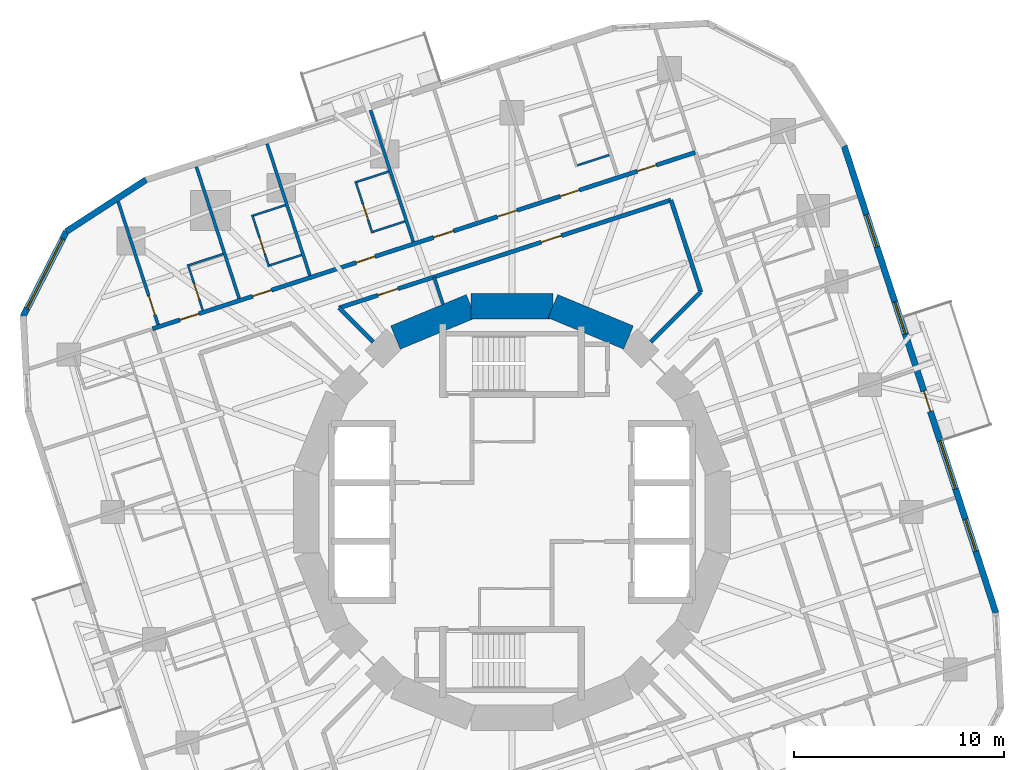
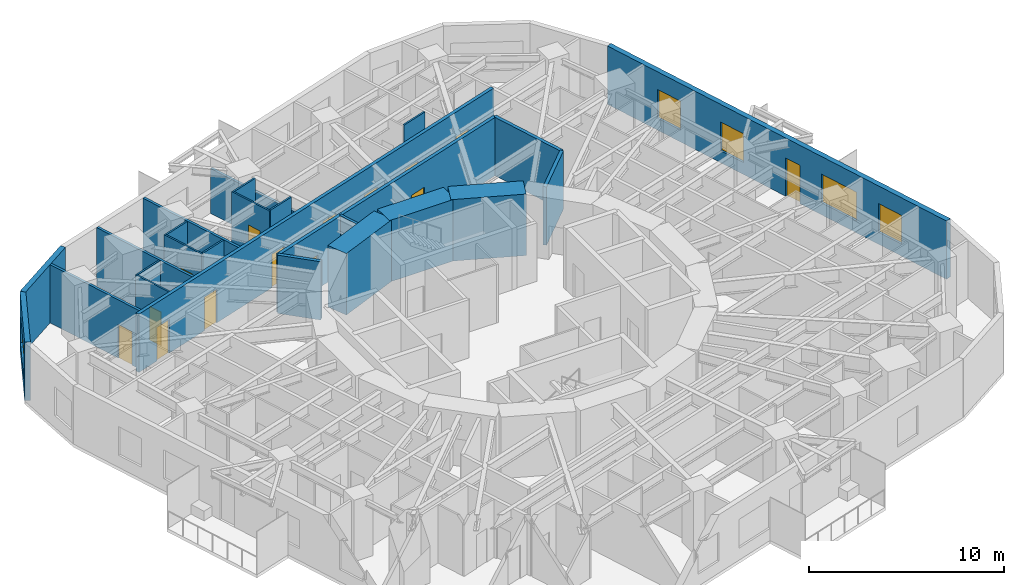
# One storey, part 9 of 12: 25 walls, 14 doors, 5 windows, 19 openings.
"""IFC4 building model written with IfcOpenShell, lengths in metres."""

from ifc_helpers import new_model, si_unit, direction, frame, frame_2d, origin, place, context, subcontext, project, spatial, rectangle, extrude, material, layer, layer_set, type_object, element, fill, save


model = new_model("IFC4")

# Units and contexts
model_context = context("Model", 3, precision=1e-05, world=origin(), true_north=direction((0.0, 1.0)))
body_context = subcontext(model_context, "Body", "Model", "MODEL_VIEW")
ifc_project = project(units=[si_unit("LENGTHUNIT", "METRE"), si_unit("AREAUNIT", "SQUARE_METRE"), si_unit("VOLUMEUNIT", "CUBIC_METRE"), si_unit("PLANEANGLEUNIT", "RADIAN"), si_unit("MASSUNIT", "GRAM", prefix="KILO")], contexts=[model_context])

# Site, building, storey
site_placement = place(None, origin())
site = spatial("IfcSite", under=ifc_project, at=site_placement, CompositionType="ELEMENT")
building_placement = place(site_placement, origin())
building = spatial("IfcBuilding", under=site, at=building_placement, Name="Nakasero Lantern House", CompositionType="ELEMENT")
storey_placement = place(building_placement, frame((0.0, 0.0, 168.75)))
storey = spatial("IfcBuildingStorey", under=building, at=storey_placement, Name="L41", CompositionType="ELEMENT", Elevation=168.75)

# Walls
ifc_material_1 = material(Name="Concrete C50/60", Category="concrete")
ifc_layer_1 = layer(ifc_material_1, 1.199951171875)
ifc_layer_set_1 = layer_set([ifc_layer_1], Name="Core wall 1200")
wall_type_1 = type_object("IfcWallType", Name="Core wall 1200", PredefinedType="SHEAR", material=ifc_layer_set_1)
for number, where, z_axis, x_axis, name in (
    (1, (5.5556640625, 8.314697265625, 0.0), (0.0, 0.0, 1.0), (-0.923876507187, 0.382690736062, 0.0), "Core wall L41 facet 3"),
    (2, (1.950927734375, 9.807861328125, 0.0), (0.0, 0.0, 1.0), (-1.0, 0.0, 0.0), "Core wall L41 facet 4"),
    (3, (-1.950927734375, 9.807861328125, 0.0), (0.0, 0.0, 1.0), (-0.923876507187, -0.382690736062, 0.0), "Core wall L41 facet 5"),
):
    element("IfcWall", number, at=place(storey_placement, frame(where, z_axis=z_axis, x_axis=x_axis)), inside=storey, type_object=wall_type_1, Name=name, PredefinedType="SHEAR", context=body_context, shape_type="SweptSolid", body=[
        extrude(rectangle(XDim=3.90185546875, YDim=1.199951171875, at=frame_2d((1.950927734375, 0.0))), origin(), (0.0, 0.0, 1.0), 3.85009765625),
    ])

# Wall, openings, doors
ifc_material_2 = material(Name="Blockwork", Category="masonry")
ifc_layer_2 = layer(ifc_material_2, 0.199951171875)
ifc_layer_set_2 = layer_set([ifc_layer_2], Name="Corridor wall 200")
wall_type_2 = type_object("IfcWallType", Name="Corridor wall 200", PredefinedType="PARTITIONING", material=ifc_layer_set_2)
wall_1_placement = place(storey_placement, frame((8.731689453125, 17.136962890625, 0.0), z_axis=(0.0, 0.0, 1.0), x_axis=(-0.951056097323, -0.309018283835, 0.0)))
wall_1 = element("IfcWall", 4, at=wall_1_placement, inside=storey, type_object=wall_type_2, Name="Corridor wall L41 CW1", PredefinedType="PARTITIONING", context=body_context, shape_type="SweptSolid", body=[
    extrude(rectangle(XDim=27.199951171875, YDim=0.199951171875, at=frame_2d((13.60009765625, 0.0))), origin(), (0.0, 0.0, 1.0), 3.64990234375),
])
opening_1_placement = place(wall_1_placement, frame((1.949951171875, 0.0, 0.0)))
opening_1 = element("IfcOpeningElement", 5, at=opening_1_placement, cuts=wall_1, Name="Opening D01", PredefinedType="OPENING", context=body_context, shape_type="SweptSolid", body=[
    extrude(rectangle(XDim=0.949951171875, YDim=2.10009765625, at=frame_2d((0.47509765625, 1.050048828125))), frame((0.0, 0.119873046875, 0.0), z_axis=(0.0, -1.0, 0.0), x_axis=(1.0, 0.0, 0.0)), (0.0, 0.0, 1.0), 0.239990234375),
])
opening_2_placement = place(wall_1_placement, frame((5.8095703125, 0.0, 0.0)))
opening_2 = element("IfcOpeningElement", 6, at=opening_2_placement, cuts=wall_1, Name="Opening D01", PredefinedType="OPENING", context=body_context, shape_type="SweptSolid", body=[
    extrude(rectangle(XDim=0.949951171875, YDim=2.10009765625, at=frame_2d((0.47509765625, 1.050048828125))), frame((0.0, 0.119873046875, 0.0), z_axis=(0.0, -1.0, 0.0), x_axis=(1.0, 0.0, 0.0)), (0.0, 0.0, 1.0), 0.239990234375),
])
opening_3_placement = place(wall_1_placement, frame((16.047119140625, 0.0, 0.0)))
opening_3 = element("IfcOpeningElement", 7, at=opening_3_placement, cuts=wall_1, Name="Opening D01", PredefinedType="OPENING", context=body_context, shape_type="SweptSolid", body=[
    extrude(rectangle(XDim=0.949951171875, YDim=2.10009765625, at=frame_2d((0.47509765625, 1.050048828125))), frame((0.0, 0.119873046875, 0.0), z_axis=(0.0, -1.0, 0.0), x_axis=(1.0, 0.0, 0.0)), (0.0, 0.0, 1.0), 0.239990234375),
])
opening_4_placement = place(wall_1_placement, frame((21.22802734375, 0.0, 0.0)))
opening_4 = element("IfcOpeningElement", 8, at=opening_4_placement, cuts=wall_1, Name="Opening D01", PredefinedType="OPENING", context=body_context, shape_type="SweptSolid", body=[
    extrude(rectangle(XDim=0.949951171875, YDim=2.10009765625, at=frame_2d((0.47509765625, 1.050048828125))), frame((0.0, 0.119873046875, 0.0), z_axis=(0.0, -1.0, 0.0), x_axis=(1.0, 0.0, 0.0)), (0.0, 0.0, 1.0), 0.239990234375),
])
opening_5_placement = place(wall_1_placement, frame((24.872314453125, 0.0, 0.0)))
opening_5 = element("IfcOpeningElement", 9, at=opening_5_placement, cuts=wall_1, Name="Opening D01", PredefinedType="OPENING", context=body_context, shape_type="SweptSolid", body=[
    extrude(rectangle(XDim=0.949951171875, YDim=2.10009765625, at=frame_2d((0.47509765625, 1.050048828125))), frame((0.0, 0.119873046875, 0.0), z_axis=(0.0, -1.0, 0.0), x_axis=(1.0, 0.0, 0.0)), (0.0, 0.0, 1.0), 0.239990234375),
])
opening_6_placement = place(wall_1_placement, frame((8.9189453125, 0.0, 0.0)))
opening_6 = element("IfcOpeningElement", 10, at=opening_6_placement, cuts=wall_1, Name="Opening D03", PredefinedType="OPENING", context=body_context, shape_type="SweptSolid", body=[
    extrude(rectangle(XDim=1.0, YDim=2.10009765625, at=frame_2d((0.5, 1.050048828125))), frame((0.0, 0.119873046875, 0.0), z_axis=(0.0, -1.0, 0.0), x_axis=(1.0, 0.0, 0.0)), (0.0, 0.0, 1.0), 0.239990234375),
])
opening_7_placement = place(wall_1_placement, frame((12.10791015625, 0.0, 0.0)))
opening_7 = element("IfcOpeningElement", 11, at=opening_7_placement, cuts=wall_1, Name="Opening D03", PredefinedType="OPENING", context=body_context, shape_type="SweptSolid", body=[
    extrude(rectangle(XDim=1.0, YDim=2.10009765625, at=frame_2d((0.5, 1.050048828125))), frame((0.0, 0.119873046875, 0.0), z_axis=(0.0, -1.0, 0.0), x_axis=(1.0, 0.0, 0.0)), (0.0, 0.0, 1.0), 0.239990234375),
])
ifc_material_3 = material(Name="Timber C24", Category="wood")
door_type_1 = type_object("IfcDoorType", Name="Bedroom door FD30S 950", OperationType="SINGLE_SWING_LEFT", PredefinedType="DOOR", material=ifc_material_3)
door_1_placement = place(opening_1_placement, origin())
door_1 = element("IfcDoor", 12, at=door_1_placement, inside=storey, type_object=door_type_1, Name="Door L41 D1-00", OperationType="SINGLE_SWING_LEFT", OverallHeight=2.10009765625, OverallWidth=0.949951171875, PredefinedType="DOOR", context=body_context, shape_type="SweptSolid", body=[
    extrude(rectangle(XDim=0.949951171875, YDim=2.10009765625, at=frame_2d((0.47509765625, 1.050048828125))), frame((0.0, 0.02490234375, 0.0), z_axis=(0.0, -1.0, 0.0), x_axis=(1.0, 0.0, 0.0)), (0.0, 0.0, 1.0), 0.050048828125),
])
fill(opening_1, door_1)
door_2_placement = place(opening_2_placement, origin())
door_2 = element("IfcDoor", 13, at=door_2_placement, inside=storey, type_object=door_type_1, Name="Door L41 D1-01", OperationType="SINGLE_SWING_LEFT", OverallHeight=2.10009765625, OverallWidth=0.949951171875, PredefinedType="DOOR", context=body_context, shape_type="SweptSolid", body=[
    extrude(rectangle(XDim=0.949951171875, YDim=2.10009765625, at=frame_2d((0.47509765625, 1.050048828125))), frame((0.0, 0.02490234375, 0.0), z_axis=(0.0, -1.0, 0.0), x_axis=(1.0, 0.0, 0.0)), (0.0, 0.0, 1.0), 0.050048828125),
])
fill(opening_2, door_2)
door_3_placement = place(opening_3_placement, origin())
door_3 = element("IfcDoor", 14, at=door_3_placement, inside=storey, type_object=door_type_1, Name="Door L41 D1-04", OperationType="SINGLE_SWING_RIGHT", OverallHeight=2.10009765625, OverallWidth=0.949951171875, PredefinedType="DOOR", context=body_context, shape_type="SweptSolid", body=[
    extrude(rectangle(XDim=0.949951171875, YDim=2.10009765625, at=frame_2d((0.47509765625, 1.050048828125))), frame((0.0, 0.02490234375, 0.0), z_axis=(0.0, -1.0, 0.0), x_axis=(1.0, 0.0, 0.0)), (0.0, 0.0, 1.0), 0.050048828125),
])
fill(opening_3, door_3)
door_4_placement = place(opening_4_placement, origin())
door_4 = element("IfcDoor", 15, at=door_4_placement, inside=storey, type_object=door_type_1, Name="Door L41 D1-05", OperationType="SINGLE_SWING_RIGHT", OverallHeight=2.10009765625, OverallWidth=0.949951171875, PredefinedType="DOOR", context=body_context, shape_type="SweptSolid", body=[
    extrude(rectangle(XDim=0.949951171875, YDim=2.10009765625, at=frame_2d((0.47509765625, 1.050048828125))), frame((0.0, 0.02490234375, 0.0), z_axis=(0.0, -1.0, 0.0), x_axis=(1.0, 0.0, 0.0)), (0.0, 0.0, 1.0), 0.050048828125),
])
fill(opening_4, door_4)
door_5_placement = place(opening_5_placement, origin())
door_5 = element("IfcDoor", 16, at=door_5_placement, inside=storey, type_object=door_type_1, Name="Door L41 D1-06", OperationType="SINGLE_SWING_RIGHT", OverallHeight=2.10009765625, OverallWidth=0.949951171875, PredefinedType="DOOR", context=body_context, shape_type="SweptSolid", body=[
    extrude(rectangle(XDim=0.949951171875, YDim=2.10009765625, at=frame_2d((0.47509765625, 1.050048828125))), frame((0.0, 0.02490234375, 0.0), z_axis=(0.0, -1.0, 0.0), x_axis=(1.0, 0.0, 0.0)), (0.0, 0.0, 1.0), 0.050048828125),
])
fill(opening_5, door_5)
ifc_material_4 = material(Name="Timber C24", Category="wood")
door_type_2 = type_object("IfcDoorType", Name="Lounge door FD30S 1000", OperationType="SINGLE_SWING_LEFT", PredefinedType="DOOR", material=ifc_material_4)
door_6_placement = place(opening_6_placement, origin())
door_6 = element("IfcDoor", 17, at=door_6_placement, inside=storey, type_object=door_type_2, Name="Door L41 DK1", OperationType="SINGLE_SWING_LEFT", OverallHeight=2.10009765625, OverallWidth=1.0, PredefinedType="DOOR", context=body_context, shape_type="SweptSolid", body=[
    extrude(rectangle(XDim=1.0, YDim=2.10009765625, at=frame_2d((0.5, 1.050048828125))), frame((0.0, 0.02490234375, 0.0), z_axis=(0.0, -1.0, 0.0), x_axis=(1.0, 0.0, 0.0)), (0.0, 0.0, 1.0), 0.050048828125),
])
fill(opening_6, door_6)
door_7_placement = place(opening_7_placement, origin())
door_7 = element("IfcDoor", 18, at=door_7_placement, inside=storey, type_object=door_type_2, Name="Door L41 DK1-1", OperationType="SINGLE_SWING_LEFT", OverallHeight=2.10009765625, OverallWidth=1.0, PredefinedType="DOOR", context=body_context, shape_type="SweptSolid", body=[
    extrude(rectangle(XDim=1.0, YDim=2.10009765625, at=frame_2d((0.5, 1.050048828125))), frame((0.0, 0.02490234375, 0.0), z_axis=(0.0, -1.0, 0.0), x_axis=(1.0, 0.0, 0.0)), (0.0, 0.0, 1.0), 0.050048828125),
])
fill(opening_7, door_7)

# Wall
wall_2_placement = place(storey_placement, frame((9.00048828125, 10.4853515625, 0.0), z_axis=(0.0, 0.0, 1.0), x_axis=(-0.309020197406, 0.951055475561, 0.0)))
element("IfcWall", 19, at=wall_2_placement, inside=storey, type_object=wall_type_2, Name="Corridor wall L41 IW0-1", PredefinedType="PARTITIONING", context=body_context, shape_type="SweptSolid", body=[
    extrude(rectangle(XDim=4.609130859375, YDim=0.199951171875, at=frame_2d((2.3046875, 0.0))), origin(), (0.0, 0.0, 1.0), 3.64990234375),
])

# Wall, openings, doors
wall_3_placement = place(storey_placement, frame((7.576171875, 14.868896484375, 0.0), z_axis=(0.0, 0.0, 1.0), x_axis=(-0.951057148125, -0.309015049795, 0.0)))
wall_3 = element("IfcWall", 20, at=wall_3_placement, inside=storey, type_object=wall_type_2, Name="Corridor wall L41 IW1-0", PredefinedType="PARTITIONING", context=body_context, shape_type="SweptSolid", body=[
    extrude(rectangle(XDim=16.634033203125, YDim=0.199951171875, at=frame_2d((8.31689453125, 0.0))), origin(), (0.0, 0.0, 1.0), 3.64990234375),
])
opening_8_placement = place(wall_3_placement, frame((5.49755859375, 0.0, 0.0)))
opening_8 = element("IfcOpeningElement", 21, at=opening_8_placement, cuts=wall_3, Name="Opening D07", PredefinedType="OPENING", context=body_context, shape_type="SweptSolid", body=[
    extrude(rectangle(XDim=1.0, YDim=2.10009765625, at=frame_2d((0.5, 1.050048828125))), frame((0.0, 0.119873046875, 0.0), z_axis=(0.0, -1.0, 0.0), x_axis=(1.0, 0.0, 0.0)), (0.0, 0.0, 1.0), 0.239990234375),
])
opening_9_placement = place(wall_3_placement, frame((13.689453125, 0.0, 0.0)))
opening_9 = element("IfcOpeningElement", 22, at=opening_9_placement, cuts=wall_3, Name="Opening D07", PredefinedType="OPENING", context=body_context, shape_type="SweptSolid", body=[
    extrude(rectangle(XDim=1.0, YDim=2.10009765625, at=frame_2d((0.5, 1.050048828125))), frame((0.0, 0.119873046875, 0.0), z_axis=(0.0, -1.0, 0.0), x_axis=(1.0, 0.0, 0.0)), (0.0, 0.0, 1.0), 0.239990234375),
])
ifc_material_5 = material(Name="Timber C24", Category="wood")
door_type_3 = type_object("IfcDoorType", Name="Room door FD30S 1000", OperationType="SINGLE_SWING_LEFT", PredefinedType="DOOR", material=ifc_material_5)
door_8_placement = place(opening_8_placement, origin())
door_8 = element("IfcDoor", 23, at=door_8_placement, inside=storey, type_object=door_type_3, Name="Door L41 DI5", OperationType="SINGLE_SWING_LEFT", OverallHeight=2.10009765625, OverallWidth=1.0, PredefinedType="DOOR", context=body_context, shape_type="SweptSolid", body=[
    extrude(rectangle(XDim=1.0, YDim=2.10009765625, at=frame_2d((0.5, 1.050048828125))), frame((0.0, 0.02490234375, 0.0), z_axis=(0.0, -1.0, 0.0), x_axis=(1.0, 0.0, 0.0)), (0.0, 0.0, 1.0), 0.050048828125),
])
fill(opening_8, door_8)
door_9_placement = place(opening_9_placement, origin())
door_9 = element("IfcDoor", 24, at=door_9_placement, inside=storey, type_object=door_type_3, Name="Door L41 DI6", OperationType="SINGLE_SWING_RIGHT", OverallHeight=2.10009765625, OverallWidth=1.0, PredefinedType="DOOR", context=body_context, shape_type="SweptSolid", body=[
    extrude(rectangle(XDim=1.0, YDim=2.10009765625, at=frame_2d((0.5, 1.050048828125))), frame((0.0, 0.02490234375, 0.0), z_axis=(0.0, -1.0, 0.0), x_axis=(1.0, 0.0, 0.0)), (0.0, 0.0, 1.0), 0.050048828125),
])
fill(opening_9, door_9)

# Walls
wall_4_placement = place(storey_placement, frame((6.616943359375, 8.101806640625, 0.0), z_axis=(0.0, 0.0, 1.0), x_axis=(0.707106781187, 0.707106781187, 0.0)))
element("IfcWall", 25, at=wall_4_placement, inside=storey, type_object=wall_type_2, Name="Corridor wall L41 PS02a", PredefinedType="PARTITIONING", context=body_context, shape_type="SweptSolid", body=[
    extrude(rectangle(XDim=3.370849609375, YDim=0.199951171875, at=frame_2d((1.685546875, 0.0))), origin(), (0.0, 0.0, 1.0), 3.64990234375),
])
wall_5_placement = place(storey_placement, frame((-6.616943359375, 8.101806640625, 0.0), z_axis=(0.0, 0.0, 1.0), x_axis=(-0.707053720985, 0.707159837407, 0.0)))
element("IfcWall", 26, at=wall_5_placement, inside=storey, type_object=wall_type_2, Name="Corridor wall L41 PS06b", PredefinedType="PARTITIONING", context=body_context, shape_type="SweptSolid", body=[
    extrude(rectangle(XDim=2.30078125, YDim=0.199951171875, at=frame_2d((1.150390625, 0.0))), origin(), (0.0, 0.0, 1.0), 3.64990234375),
])
ifc_material_6 = material(Name="Blockwork", Category="masonry")
ifc_layer_3 = layer(ifc_material_6, 0.10009765625)
ifc_layer_set_3 = layer_set([ifc_layer_3], Name="En-suite wall 100")
wall_type_3 = type_object("IfcWallType", Name="En-suite wall 100", PredefinedType="PARTITIONING", material=ifc_layer_set_3)
wall_6_placement = place(storey_placement, frame((4.634521484375, 17.014892578125, 0.0), z_axis=(0.0, 0.0, 1.0), x_axis=(-0.951066581729, -0.308986014439, 0.0)))
element("IfcWall", 27, at=wall_6_placement, inside=storey, type_object=wall_type_3, Name="En-suite wall L41 EI1-01", PredefinedType="PARTITIONING", context=body_context, shape_type="SweptSolid", body=[
    extrude(rectangle(XDim=1.60009765625, YDim=0.10009765625, at=frame_2d((0.800048828125, 0.0))), origin(), (0.0, 0.0, 1.0), 3.64990234375),
])

# Wall, opening, door
wall_7_placement = place(storey_placement, frame((-6.65576171875, 13.2939453125, 0.0), z_axis=(0.0, 0.0, 1.0), x_axis=(-0.309035112607, 0.951050629134, 0.0)))
wall_7 = element("IfcWall", 28, at=wall_7_placement, inside=storey, type_object=wall_type_3, Name="En-suite wall L41 ES1-04", PredefinedType="PARTITIONING", context=body_context, shape_type="SweptSolid", body=[
    extrude(rectangle(XDim=2.599853515625, YDim=0.10009765625, at=frame_2d((1.2998046875, 0.0))), origin(), (0.0, 0.0, 1.0), 3.64990234375),
])
opening_10_placement = place(wall_7_placement, frame((0.64990234375, 0.0, 0.0)))
opening_10 = element("IfcOpeningElement", 29, at=opening_10_placement, cuts=wall_7, Name="Opening D02", PredefinedType="OPENING", context=body_context, shape_type="SweptSolid", body=[
    extrude(rectangle(XDim=0.800048828125, YDim=2.10009765625, at=frame_2d((0.39990234375, 1.050048828125))), frame((0.0, 0.070068359375, 0.0), z_axis=(0.0, -1.0, 0.0), x_axis=(1.0, 0.0, 0.0)), (0.0, 0.0, 1.0), 0.14013671875),
])
ifc_material_7 = material(Name="Timber C24", Category="wood")
door_type_4 = type_object("IfcDoorType", Name="En-suite door 800", OperationType="SINGLE_SWING_RIGHT", PredefinedType="DOOR", material=ifc_material_7)
door_10_placement = place(opening_10_placement, origin())
door_10 = element("IfcDoor", 30, at=door_10_placement, inside=storey, type_object=door_type_4, Name="Door L41 DE1-04", OperationType="SINGLE_SWING_LEFT", OverallHeight=2.10009765625, OverallWidth=0.800048828125, PredefinedType="DOOR", context=body_context, shape_type="SweptSolid", body=[
    extrude(rectangle(XDim=0.800048828125, YDim=2.10009765625, at=frame_2d((0.39990234375, 1.050048828125))), frame((0.0, 0.02490234375, 0.0), z_axis=(0.0, -1.0, 0.0), x_axis=(1.0, 0.0, 0.0)), (0.0, 0.0, 1.0), 0.050048828125),
])
fill(opening_10, door_10)

# Walls
for number, where, z_axis, x_axis, name in (
    (31, (-5.87451171875, 16.22900390625, 0.0), (0.0, 0.0, 1.0), (-0.951066581729, -0.308986014439, 0.0), "En-suite wall L41 EE1-04"),
    (32, (-5.10205078125, 13.851318359375, 0.0), (0.0, 0.0, 1.0), (-0.951066581729, -0.308986014439, 0.0), "En-suite wall L41 EI1-04"),
):
    element("IfcWall", number, at=place(storey_placement, frame(where, z_axis=z_axis, x_axis=x_axis)), inside=storey, type_object=wall_type_3, Name=name, PredefinedType="PARTITIONING", context=body_context, shape_type="SweptSolid", body=[
        extrude(rectangle(XDim=1.60009765625, YDim=0.10009765625, at=frame_2d((0.800048828125, 0.0))), origin(), (0.0, 0.0, 1.0), 3.64990234375),
    ])

# Wall, opening, door
wall_8_placement = place(storey_placement, frame((-11.583251953125, 11.69287109375, 0.0), z_axis=(0.0, 0.0, 1.0), x_axis=(-0.309035112607, 0.951050629134, 0.0)))
wall_8 = element("IfcWall", 33, at=wall_8_placement, inside=storey, type_object=wall_type_3, Name="En-suite wall L41 ES1-05", PredefinedType="PARTITIONING", context=body_context, shape_type="SweptSolid", body=[
    extrude(rectangle(XDim=2.599853515625, YDim=0.10009765625, at=frame_2d((1.2998046875, 0.0))), origin(), (0.0, 0.0, 1.0), 3.64990234375),
])
opening_11_placement = place(wall_8_placement, frame((0.64990234375, 0.0, 0.0)))
opening_11 = element("IfcOpeningElement", 34, at=opening_11_placement, cuts=wall_8, Name="Opening D02", PredefinedType="OPENING", context=body_context, shape_type="SweptSolid", body=[
    extrude(rectangle(XDim=0.800048828125, YDim=2.10009765625, at=frame_2d((0.39990234375, 1.050048828125))), frame((0.0, 0.070068359375, 0.0), z_axis=(0.0, -1.0, 0.0), x_axis=(1.0, 0.0, 0.0)), (0.0, 0.0, 1.0), 0.14013671875),
])
door_11_placement = place(opening_11_placement, origin())
door_11 = element("IfcDoor", 35, at=door_11_placement, inside=storey, type_object=door_type_4, Name="Door L41 DE1-05", OperationType="SINGLE_SWING_LEFT", OverallHeight=2.10009765625, OverallWidth=0.800048828125, PredefinedType="DOOR", context=body_context, shape_type="SweptSolid", body=[
    extrude(rectangle(XDim=0.800048828125, YDim=2.10009765625, at=frame_2d((0.39990234375, 1.050048828125))), frame((0.0, 0.02490234375, 0.0), z_axis=(0.0, -1.0, 0.0), x_axis=(1.0, 0.0, 0.0)), (0.0, 0.0, 1.0), 0.050048828125),
])
fill(opening_11, door_11)

# Walls
for number, where, z_axis, x_axis, name in (
    (36, (-10.802001953125, 14.6279296875, 0.0), (0.0, 0.0, 1.0), (-0.951066581729, -0.308986014439, 0.0), "En-suite wall L41 EE1-05"),
    (37, (-10.029541015625, 12.250244140625, 0.0), (0.0, 0.0, 1.0), (-0.951066581729, -0.308986014439, 0.0), "En-suite wall L41 EI1-05"),
):
    element("IfcWall", number, at=place(storey_placement, frame(where, z_axis=z_axis, x_axis=x_axis)), inside=storey, type_object=wall_type_3, Name=name, PredefinedType="PARTITIONING", context=body_context, shape_type="SweptSolid", body=[
        extrude(rectangle(XDim=1.60009765625, YDim=0.10009765625, at=frame_2d((0.800048828125, 0.0))), origin(), (0.0, 0.0, 1.0), 3.64990234375),
    ])

# Wall, opening, door
wall_9_placement = place(storey_placement, frame((-14.740234375, 9.61572265625, 0.0), z_axis=(0.0, 0.0, 1.0), x_axis=(-0.309021261611, 0.951055129775, 0.0)))
wall_9 = element("IfcWall", 38, at=wall_9_placement, inside=storey, type_object=wall_type_3, Name="En-suite wall L41 ES1-06", PredefinedType="PARTITIONING", context=body_context, shape_type="SweptSolid", body=[
    extrude(rectangle(XDim=2.2998046875, YDim=0.10009765625, at=frame_2d((1.14990234375, 0.0))), origin(), (0.0, 0.0, 1.0), 3.64990234375),
])
opening_12_placement = place(wall_9_placement, frame((0.550048828125, 0.0, 0.0)))
opening_12 = element("IfcOpeningElement", 39, at=opening_12_placement, cuts=wall_9, Name="Opening D02", PredefinedType="OPENING", context=body_context, shape_type="SweptSolid", body=[
    extrude(rectangle(XDim=0.800048828125, YDim=2.10009765625, at=frame_2d((0.39990234375, 1.050048828125))), frame((0.0, 0.070068359375, 0.0), z_axis=(0.0, -1.0, 0.0), x_axis=(1.0, 0.0, 0.0)), (0.0, 0.0, 1.0), 0.14013671875),
])
door_12_placement = place(opening_12_placement, origin())
door_12 = element("IfcDoor", 40, at=door_12_placement, inside=storey, type_object=door_type_4, Name="Door L41 DE1-06", OperationType="SINGLE_SWING_LEFT", OverallHeight=2.10009765625, OverallWidth=0.800048828125, PredefinedType="DOOR", context=body_context, shape_type="SweptSolid", body=[
    extrude(rectangle(XDim=0.800048828125, YDim=2.10009765625, at=frame_2d((0.39990234375, 1.050048828125))), frame((0.0, 0.02490234375, 0.0), z_axis=(0.0, -1.0, 0.0), x_axis=(1.0, 0.0, 0.0)), (0.0, 0.0, 1.0), 0.050048828125),
])
fill(opening_12, door_12)

# Wall
wall_10_placement = place(storey_placement, frame((-13.771240234375, 12.29638671875, 0.0), z_axis=(0.0, 0.0, 1.0), x_axis=(-0.951040401051, -0.309066587596, 0.0)))
element("IfcWall", 41, at=wall_10_placement, inside=storey, type_object=wall_type_3, Name="En-suite wall L41 EE1-06", PredefinedType="PARTITIONING", context=body_context, shape_type="SweptSolid", body=[
    extrude(rectangle(XDim=1.699951171875, YDim=0.10009765625, at=frame_2d((0.85009765625, 0.0))), origin(), (0.0, 0.0, 1.0), 3.64990234375),
])

# Wall, openings, door, windows
ifc_material_8 = material(Name="Aluminium rainscreen on blockwork", Category="masonry")
ifc_layer_4 = layer(ifc_material_8, 0.300048828125)
ifc_layer_set_4 = layer_set([ifc_layer_4], Name="Facade wall 300")
wall_type_4 = type_object("IfcWallType", Name="Facade wall 300", PredefinedType="SOLIDWALL", material=ifc_layer_set_4)
wall_11_placement = place(storey_placement, frame((23.064697265625, -4.807861328125, 0.0), z_axis=(0.0, 0.0, 1.0), x_axis=(-0.30902591324, 0.951053618334, 0.0)))
wall_11 = element("IfcWall", 42, at=wall_11_placement, inside=storey, type_object=wall_type_4, Name="Facade wall L41 FW0S", PredefinedType="SOLIDWALL", context=body_context, shape_type="SweptSolid", body=[
    extrude(rectangle(XDim=23.39990234375, YDim=0.300048828125, at=frame_2d((11.699951171875, 0.0))), origin(), (0.0, 0.0, 1.0), 3.64990234375),
])
opening_13_placement = place(wall_11_placement, frame((3.089111328125, 0.0, 0.75)))
opening_13 = element("IfcOpeningElement", 43, at=opening_13_placement, cuts=wall_11, Name="Opening W01", PredefinedType="OPENING", context=body_context, shape_type="SweptSolid", body=[
    extrude(rectangle(XDim=1.60009765625, YDim=1.800048828125, at=frame_2d((0.800048828125, 0.89990234375))), frame((0.0, 0.169921875, 0.0), z_axis=(0.0, -1.0, 0.0), x_axis=(1.0, 0.0, 0.0)), (0.0, 0.0, 1.0), 0.340087890625),
])
opening_14_placement = place(wall_11_placement, frame((13.987548828125, 0.0, 0.75)))
opening_14 = element("IfcOpeningElement", 44, at=opening_14_placement, cuts=wall_11, Name="Opening W01", PredefinedType="OPENING", context=body_context, shape_type="SweptSolid", body=[
    extrude(rectangle(XDim=1.60009765625, YDim=1.800048828125, at=frame_2d((0.800048828125, 0.89990234375))), frame((0.0, 0.169921875, 0.0), z_axis=(0.0, -1.0, 0.0), x_axis=(1.0, 0.0, 0.0)), (0.0, 0.0, 1.0), 0.340087890625),
])
opening_15_placement = place(wall_11_placement, frame((18.350341796875, 0.0, 0.75)))
opening_15 = element("IfcOpeningElement", 45, at=opening_15_placement, cuts=wall_11, Name="Opening W01", PredefinedType="OPENING", context=body_context, shape_type="SweptSolid", body=[
    extrude(rectangle(XDim=1.60009765625, YDim=1.800048828125, at=frame_2d((0.800048828125, 0.89990234375))), frame((0.0, 0.169921875, 0.0), z_axis=(0.0, -1.0, 0.0), x_axis=(1.0, 0.0, 0.0)), (0.0, 0.0, 1.0), 0.340087890625),
])
opening_16_placement = place(wall_11_placement, frame((6.21337890625, 0.0, 0.75)))
opening_16 = element("IfcOpeningElement", 46, at=opening_16_placement, cuts=wall_11, Name="Opening W03", PredefinedType="OPENING", context=body_context, shape_type="SweptSolid", body=[
    extrude(rectangle(XDim=2.39990234375, YDim=1.800048828125, at=frame_2d((1.199951171875, 0.89990234375))), frame((0.0, 0.169921875, 0.0), z_axis=(0.0, -1.0, 0.0), x_axis=(1.0, 0.0, 0.0)), (0.0, 0.0, 1.0), 0.340087890625),
])
opening_17_placement = place(wall_11_placement, frame((10.1025390625, 0.0, 0.0)))
opening_17 = element("IfcOpeningElement", 47, at=opening_17_placement, cuts=wall_11, Name="Opening D04", PredefinedType="OPENING", context=body_context, shape_type="SweptSolid", body=[
    extrude(rectangle(XDim=1.0, YDim=2.39990234375, at=frame_2d((0.5, 1.199951171875))), frame((0.0, 0.169921875, 0.0), z_axis=(0.0, -1.0, 0.0), x_axis=(1.0, 0.0, 0.0)), (0.0, 0.0, 1.0), 0.340087890625),
])
ifc_material_9 = material(Name="Aluminium 6063-T6 and glass", Category="aluminium")
door_type_5 = type_object("IfcDoorType", Name="Balcony door 1000x2400", OperationType="SINGLE_SWING_RIGHT", PredefinedType="DOOR", material=ifc_material_9)
door_13_placement = place(opening_17_placement, origin())
door_13 = element("IfcDoor", 48, at=door_13_placement, inside=storey, type_object=door_type_5, Name="Balcony door L41 DB0", OperationType="SINGLE_SWING_RIGHT", OverallHeight=2.39990234375, OverallWidth=1.0, PredefinedType="DOOR", context=body_context, shape_type="SweptSolid", body=[
    extrude(rectangle(XDim=1.0, YDim=2.39990234375, at=frame_2d((0.5, 1.199951171875))), frame((0.0, 0.02490234375, 0.0), z_axis=(0.0, -1.0, 0.0), x_axis=(1.0, 0.0, 0.0)), (0.0, 0.0, 1.0), 0.050048828125),
])
fill(opening_17, door_13)
ifc_material_10 = material(Name="Aluminium 6063-T6 and glass", Category="aluminium")
window_type_1 = type_object("IfcWindowType", Name="Bedroom window 1600x1800", PartitioningType="SINGLE_PANEL", PredefinedType="WINDOW", material=ifc_material_10)
window_1_placement = place(opening_13_placement, origin())
window_1 = element("IfcWindow", 49, at=window_1_placement, inside=storey, type_object=window_type_1, Name="Window L41 WN0-01", OverallHeight=1.800048828125, OverallWidth=1.60009765625, PartitioningType="SINGLE_PANEL", PredefinedType="WINDOW", context=body_context, shape_type="SweptSolid", body=[
    extrude(rectangle(XDim=1.60009765625, YDim=1.800048828125, at=frame_2d((0.800048828125, 0.89990234375))), frame((0.0, 0.030029296875, 0.0), z_axis=(0.0, -1.0, 0.0), x_axis=(1.0, 0.0, 0.0)), (0.0, 0.0, 1.0), 0.06005859375),
])
fill(opening_13, window_1)
window_2_placement = place(opening_14_placement, origin())
window_2 = element("IfcWindow", 50, at=window_2_placement, inside=storey, type_object=window_type_1, Name="Window L41 WN0-04", OverallHeight=1.800048828125, OverallWidth=1.60009765625, PartitioningType="SINGLE_PANEL", PredefinedType="WINDOW", context=body_context, shape_type="SweptSolid", body=[
    extrude(rectangle(XDim=1.60009765625, YDim=1.800048828125, at=frame_2d((0.800048828125, 0.89990234375))), frame((0.0, 0.030029296875, 0.0), z_axis=(0.0, -1.0, 0.0), x_axis=(1.0, 0.0, 0.0)), (0.0, 0.0, 1.0), 0.06005859375),
])
fill(opening_14, window_2)
window_3_placement = place(opening_15_placement, origin())
window_3 = element("IfcWindow", 51, at=window_3_placement, inside=storey, type_object=window_type_1, Name="Window L41 WN0-05", OverallHeight=1.800048828125, OverallWidth=1.60009765625, PartitioningType="SINGLE_PANEL", PredefinedType="WINDOW", context=body_context, shape_type="SweptSolid", body=[
    extrude(rectangle(XDim=1.60009765625, YDim=1.800048828125, at=frame_2d((0.800048828125, 0.89990234375))), frame((0.0, 0.030029296875, 0.0), z_axis=(0.0, -1.0, 0.0), x_axis=(1.0, 0.0, 0.0)), (0.0, 0.0, 1.0), 0.06005859375),
])
fill(opening_15, window_3)
ifc_material_11 = material(Name="Aluminium 6063-T6 and glass", Category="aluminium")
window_type_2 = type_object("IfcWindowType", Name="Lounge window 2400x1800", PartitioningType="SINGLE_PANEL", PredefinedType="WINDOW", material=ifc_material_11)
window_4_placement = place(opening_16_placement, origin())
window_4 = element("IfcWindow", 52, at=window_4_placement, inside=storey, type_object=window_type_2, Name="Window L41 WK0", OverallHeight=1.800048828125, OverallWidth=2.39990234375, PartitioningType="SINGLE_PANEL", PredefinedType="WINDOW", context=body_context, shape_type="SweptSolid", body=[
    extrude(rectangle(XDim=2.39990234375, YDim=1.800048828125, at=frame_2d((1.199951171875, 0.89990234375))), frame((0.0, 0.030029296875, 0.0), z_axis=(0.0, -1.0, 0.0), x_axis=(1.0, 0.0, 0.0)), (0.0, 0.0, 1.0), 0.06005859375),
])
fill(opening_16, window_4)

# Wall
wall_12_placement = place(storey_placement, frame((-17.44677734375, 15.83349609375, 0.0), z_axis=(0.0, 0.0, 1.0), x_axis=(-0.838673836229, -0.544634002266, 0.0)))
element("IfcWall", 53, at=wall_12_placement, inside=storey, type_object=wall_type_4, Name="Facade wall L41 FW1C1", PredefinedType="SOLIDWALL", context=body_context, shape_type="SweptSolid", body=[
    extrude(rectangle(XDim=4.529296875, YDim=0.300048828125, at=frame_2d((2.2646484375, 0.0))), origin(), (0.0, 0.0, 1.0), 3.64990234375),
])

# Wall, opening, window
wall_13_placement = place(storey_placement, frame((-21.245361328125, 13.36669921875, 0.0), z_axis=(0.0, 0.0, 1.0), x_axis=(-0.454013792196, -0.890994655705, 0.0)))
wall_13 = element("IfcWall", 54, at=wall_13_placement, inside=storey, type_object=wall_type_4, Name="Facade wall L41 FW1C2", PredefinedType="SOLIDWALL", context=body_context, shape_type="SweptSolid", body=[
    extrude(rectangle(XDim=4.529296875, YDim=0.300048828125, at=frame_2d((2.2646484375, 0.0))), origin(), (0.0, 0.0, 1.0), 3.64990234375),
])
opening_18_placement = place(wall_13_placement, frame((0.39990234375, 0.0, 0.75)))
opening_18 = element("IfcOpeningElement", 55, at=opening_18_placement, cuts=wall_13, Name="Opening W237A", PredefinedType="OPENING", context=body_context, shape_type="SweptSolid", body=[
    extrude(rectangle(XDim=3.72900390625, YDim=1.800048828125, at=frame_2d((1.864501953125, 0.89990234375))), frame((0.0, 0.169921875, 0.0), z_axis=(0.0, -1.0, 0.0), x_axis=(1.0, 0.0, 0.0)), (0.0, 0.0, 1.0), 0.340087890625),
])
ifc_material_12 = material(Name="Aluminium 6063-T6 and glass", Category="aluminium")
window_type_3 = type_object("IfcWindowType", Name="Corner window 3729x1800", PartitioningType="SINGLE_PANEL", PredefinedType="WINDOW", material=ifc_material_12)
window_5_placement = place(opening_18_placement, origin())
window_5 = element("IfcWindow", 56, at=window_5_placement, inside=storey, type_object=window_type_3, Name="Window L41 WC1", OverallHeight=1.800048828125, OverallWidth=3.72900390625, PartitioningType="SINGLE_PANEL", PredefinedType="WINDOW", context=body_context, shape_type="SweptSolid", body=[
    extrude(rectangle(XDim=3.72900390625, YDim=1.800048828125, at=frame_2d((1.864501953125, 0.89990234375))), frame((0.0, 0.030029296875, 0.0), z_axis=(0.0, -1.0, 0.0), x_axis=(1.0, 0.0, 0.0)), (0.0, 0.0, 1.0), 0.06005859375),
])
fill(opening_18, window_5)

# Walls
ifc_material_13 = material(Name="Blockwork", Category="masonry")
ifc_layer_5 = layer(ifc_material_13, 0.14990234375)
ifc_layer_set_5 = layer_set([ifc_layer_5], Name="Party wall 150")
wall_type_5 = type_object("IfcWallType", Name="Party wall 150", PredefinedType="PARTITIONING", material=ifc_layer_set_5)
wall_14_placement = place(storey_placement, frame((-4.706298828125, 12.8759765625, 0.0), z_axis=(0.0, 0.0, 1.0), x_axis=(-0.309027520945, 0.951053095941, 0.0)))
element("IfcWall", 57, at=wall_14_placement, inside=storey, type_object=wall_type_5, Name="Party wall L41 PW1-04", PredefinedType="PARTITIONING", context=body_context, shape_type="SweptSolid", body=[
    extrude(rectangle(XDim=6.599853515625, YDim=0.14990234375, at=frame_2d((3.2998046875, 0.0))), origin(), (0.0, 0.0, 1.0), 2.809326171875),
])
for number, where, z_axis, x_axis, name in (
    (58, (-9.6337890625, 11.27490234375, 0.0), (0.0, 0.0, 1.0), (-0.309027520945, 0.951053095941, 0.0), "Party wall L41 PW1-05"),
    (59, (-13.004638671875, 10.1796875, 0.0), (0.0, 0.0, 1.0), (-0.309027520945, 0.951053095941, 0.0), "Party wall L41 PW1-06"),
):
    element("IfcWall", number, at=place(storey_placement, frame(where, z_axis=z_axis, x_axis=x_axis)), inside=storey, type_object=wall_type_5, Name=name, PredefinedType="PARTITIONING", context=body_context, shape_type="SweptSolid", body=[
        extrude(rectangle(XDim=6.599853515625, YDim=0.14990234375, at=frame_2d((3.2998046875, 0.0))), origin(), (0.0, 0.0, 1.0), 3.64990234375),
    ])

# Wall, opening, door
wall_15_placement = place(storey_placement, frame((-16.8662109375, 8.9248046875, 0.0), z_axis=(0.0, 0.0, 1.0), x_axis=(-0.309031452366, 0.951051818488, 0.0)))
wall_15 = element("IfcWall", 60, at=wall_15_placement, inside=storey, type_object=wall_type_5, Name="Party wall L41 PC1", PredefinedType="PARTITIONING", context=body_context, shape_type="SweptSolid", body=[
    extrude(rectangle(XDim=6.165283203125, YDim=0.14990234375, at=frame_2d((3.08251953125, 0.0))), origin(), (0.0, 0.0, 1.0), 3.64990234375),
])
opening_19_placement = place(wall_15_placement, frame((0.5, 0.0, 0.0)))
opening_19 = element("IfcOpeningElement", 61, at=opening_19_placement, cuts=wall_15, Name="Opening D01", PredefinedType="OPENING", context=body_context, shape_type="SweptSolid", body=[
    extrude(rectangle(XDim=0.949951171875, YDim=2.10009765625, at=frame_2d((0.47509765625, 1.050048828125))), frame((0.0, 0.094970703125, 0.0), z_axis=(0.0, -1.0, 0.0), x_axis=(1.0, 0.0, 0.0)), (0.0, 0.0, 1.0), 0.18994140625),
])
door_14_placement = place(opening_19_placement, origin())
door_14 = element("IfcDoor", 62, at=door_14_placement, inside=storey, type_object=door_type_1, Name="Door L41 DC1", OperationType="SINGLE_SWING_LEFT", OverallHeight=2.10009765625, OverallWidth=0.949951171875, PredefinedType="DOOR", context=body_context, shape_type="SweptSolid", body=[
    extrude(rectangle(XDim=0.949951171875, YDim=2.10009765625, at=frame_2d((0.47509765625, 1.050048828125))), frame((0.0, 0.02490234375, 0.0), z_axis=(0.0, -1.0, 0.0), x_axis=(1.0, 0.0, 0.0)), (0.0, 0.0, 1.0), 0.050048828125),
])
fill(opening_19, door_14)

# Wall
wall_16_placement = place(storey_placement, frame((-3.712890625, 11.200927734375, 0.0), z_axis=(0.0, 0.0, 1.0), x_axis=(0.308924371384, -0.951086606343, 0.0)))
element("IfcWall", 63, at=wall_16_placement, inside=storey, type_object=wall_type_5, Name="Party wall L41 IM1", PredefinedType="PARTITIONING", context=body_context, shape_type="SweptSolid", body=[
    extrude(rectangle(XDim=1.36572265625, YDim=0.14990234375, at=frame_2d((0.682861328125, 0.0))), origin(), (0.0, 0.0, 1.0), 3.64990234375),
])

save(model, "model.ifc")
